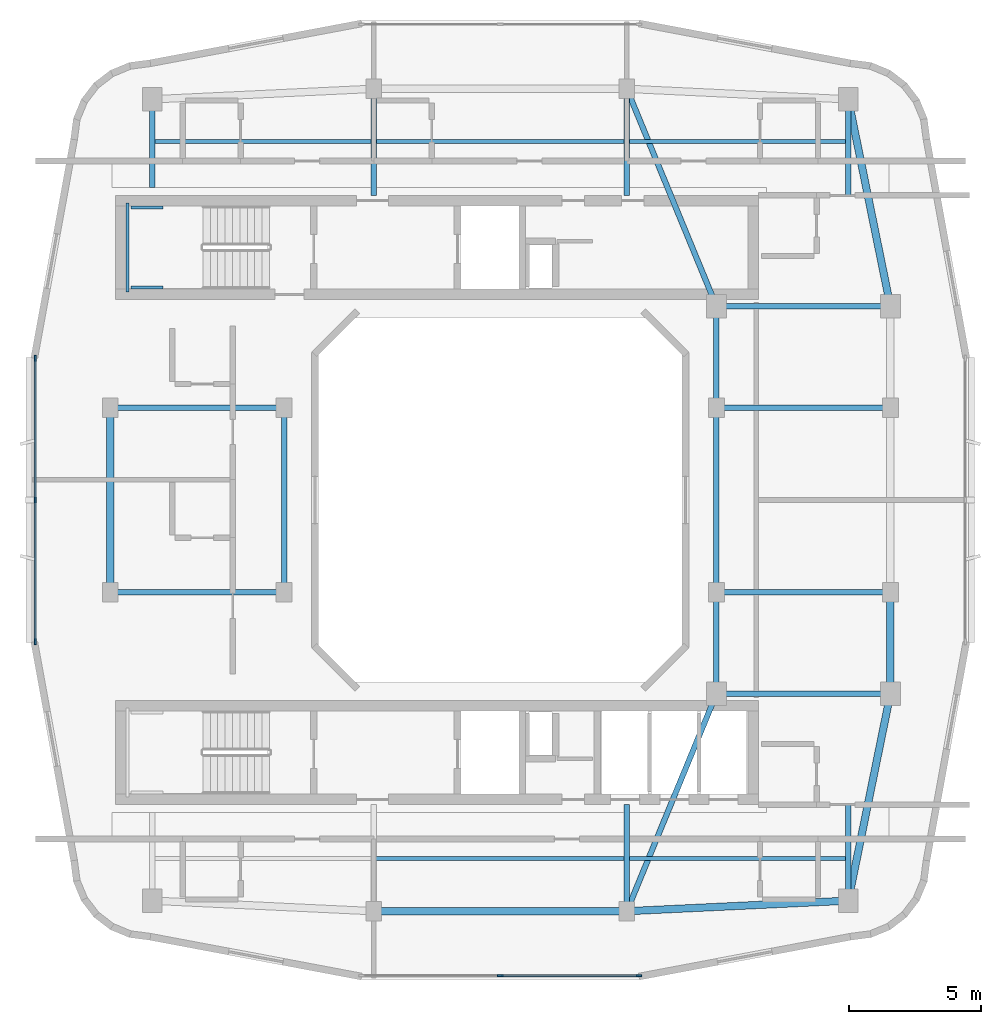
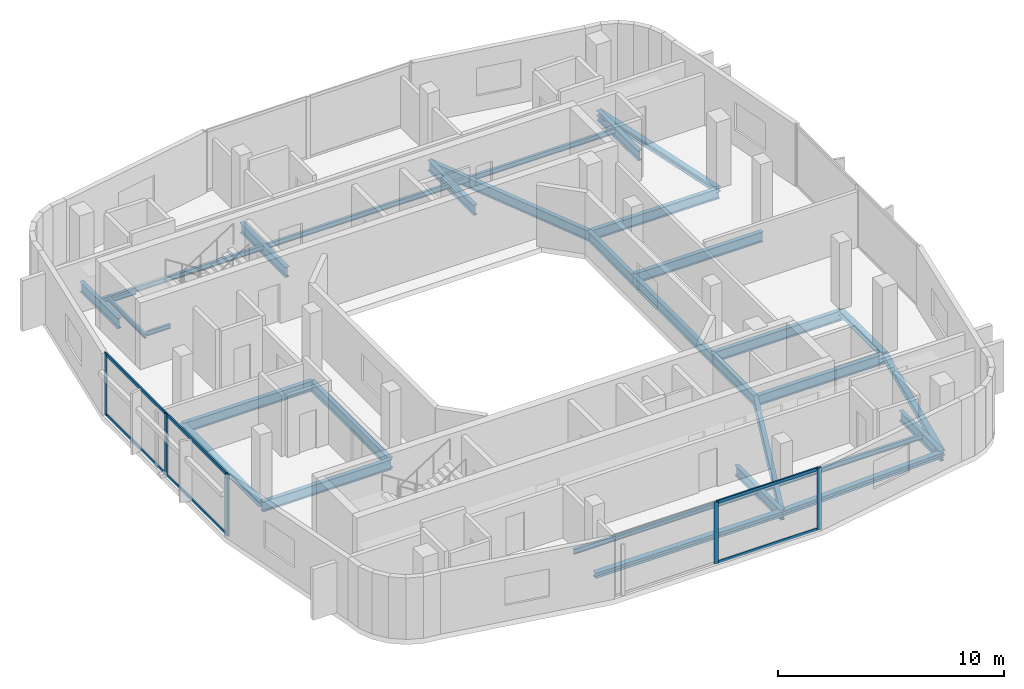
# One storey, part 2 of 10: 32 beams, 11 members, 2 elements without a shape of their own.
"""IFC4 building model written with IfcOpenShell, lengths in metres."""

from ifc_helpers import new_model, si_unit, derived_unit, direction, frame, origin, origin_2d, place, context, subcontext, project, spatial, rectangle, i_section, extrude, material, layer, layer_set, material_profile, profile_set, type_object, element, aggregate, save


model = new_model("IFC4")

# Units and contexts
model_context = context("Model", 3, precision=1e-05, world=origin(), true_north=direction((0.0, 1.0)))
body_context = subcontext(model_context, "Body", "Model", "MODEL_VIEW")
ifc_project = project(units=[si_unit("LENGTHUNIT", "METRE"), si_unit("AREAUNIT", "SQUARE_METRE"), si_unit("VOLUMEUNIT", "CUBIC_METRE"), si_unit("PLANEANGLEUNIT", "RADIAN"), si_unit("MASSUNIT", "GRAM", prefix="KILO"), derived_unit("THERMALTRANSMITTANCEUNIT", [(si_unit("POWERUNIT", "WATT"), 1), (si_unit("LENGTHUNIT", "METRE"), -2), (si_unit("THERMODYNAMICTEMPERATUREUNIT", "KELVIN"), -1)])], contexts=[model_context])

# Site, building, storey
site_placement = place(None, origin())
site = spatial("IfcSite", under=ifc_project, at=site_placement, CompositionType="ELEMENT")
building_placement = place(site_placement, origin())
building = spatial("IfcBuilding", under=site, at=building_placement, Name="Kivonza Crest Hotel", CompositionType="ELEMENT")
storey_placement = place(building_placement, frame((0.0, 0.0, 250.39990234375)))
storey = spatial("IfcBuildingStorey", under=building, at=storey_placement, Name="L68", CompositionType="ELEMENT", Elevation=250.39990234375)

# Beams
ifc_material_1 = material(Name="Steel S355", Category="steel")
ifc_material_profile_1 = material_profile(ifc_material_1, i_section(OverallWidth=0.280029296875, OverallDepth=0.280029296875, WebThickness=0.010498046875, FlangeThickness=0.01806640625, FilletRadius=0.02392578125, at=origin_2d()), Name="HEB 280")
ifc_profile_set_1 = profile_set([ifc_material_profile_1], Name="Steel S355")
beam_type_1 = type_object("IfcBeamType", Name="BM-HEB280", PredefinedType="SPANDREL", material=ifc_profile_set_1)
beam_1_placement = place(storey_placement, frame((16.199951171875, 9.39990234375, -0.419921875), z_axis=(1.0, 0.0, 0.0), x_axis=(0.0, 1.0, 0.0)))
element("IfcBeam", 1, at=beam_1_placement, inside=storey, type_object=beam_type_1, Name="Tower T1 L68 perimeter spandrel S1-S2", PredefinedType="SPANDREL", context=body_context, shape_type="SweptSolid", body=[
    extrude(i_section(OverallWidth=0.280029296875, OverallDepth=0.280029296875, WebThickness=0.010498046875, FlangeThickness=0.01806640625, FilletRadius=0.02392578125, at=origin_2d()), origin(), (0.0, 0.0, 1.0), 9.60009765625),
])
beam_2_placement = place(storey_placement, frame((25.800048828125, 9.39990234375, -0.419921875), z_axis=(0.998867283688, 0.047583080799, 0.0), x_axis=(-0.047583080799, 0.998867283688, 0.0)))
element("IfcBeam", 2, at=beam_2_placement, inside=storey, type_object=beam_type_1, Name="Tower T1 L68 perimeter spandrel S2-SE", PredefinedType="SPANDREL", context=body_context, shape_type="SweptSolid", body=[
    extrude(i_section(OverallWidth=0.280029296875, OverallDepth=0.280029296875, WebThickness=0.010498046875, FlangeThickness=0.01806640625, FilletRadius=0.02392578125, at=origin_2d()), origin(), (0.0, 0.0, 1.0), 8.409423828125),
])
beam_3_placement = place(storey_placement, frame((34.199951171875, 9.800048828125, -0.419921875), z_axis=(0.199730733965, 0.979850822273, 0.0), x_axis=(-0.979850822273, 0.199730733965, 0.0)))
element("IfcBeam", 3, at=beam_3_placement, inside=storey, type_object=beam_type_1, Name="Tower T1 L68 perimeter spandrel SE-PSE", PredefinedType="SPANDREL", context=body_context, shape_type="SweptSolid", body=[
    extrude(i_section(OverallWidth=0.280029296875, OverallDepth=0.280029296875, WebThickness=0.010498046875, FlangeThickness=0.01806640625, FilletRadius=0.02392578125, at=origin_2d()), origin(), (0.0, 0.0, 1.0), 8.01123046875),
])
beam_4_placement = place(storey_placement, frame((35.800048828125, 17.64990234375, -0.419921875), z_axis=(0.0, 1.0, 0.0), x_axis=(-1.0, 0.0, 0.0)))
element("IfcBeam", 4, at=beam_4_placement, inside=storey, type_object=beam_type_1, Name="Tower T1 L68 perimeter spandrel PSE-E1", PredefinedType="SPANDREL", context=body_context, shape_type="SweptSolid", body=[
    extrude(i_section(OverallWidth=0.280029296875, OverallDepth=0.280029296875, WebThickness=0.010498046875, FlangeThickness=0.01806640625, FilletRadius=0.02392578125, at=origin_2d()), origin(), (0.0, 0.0, 1.0), 3.85009765625),
])
beam_5_placement = place(storey_placement, frame((35.800048828125, 32.35009765625, -0.419921875), z_axis=(-0.199730733965, 0.979850822273, 0.0), x_axis=(-0.979850822273, -0.199730733965, 0.0)))
element("IfcBeam", 5, at=beam_5_placement, inside=storey, type_object=beam_type_1, Name="Tower T1 L68 perimeter spandrel PNE-NE", PredefinedType="SPANDREL", context=body_context, shape_type="SweptSolid", body=[
    extrude(i_section(OverallWidth=0.280029296875, OverallDepth=0.280029296875, WebThickness=0.010498046875, FlangeThickness=0.01806640625, FilletRadius=0.02392578125, at=origin_2d()), origin(), (0.0, 0.0, 1.0), 8.01123046875),
])
beam_6_placement = place(storey_placement, frame((6.199951171875, 28.5, -0.419921875), z_axis=(0.0, -1.0, 0.0), x_axis=(1.0, 0.0, 0.0)))
element("IfcBeam", 6, at=beam_6_placement, inside=storey, type_object=beam_type_1, Name="Tower T1 L68 perimeter spandrel W2-W1", PredefinedType="SPANDREL", context=body_context, shape_type="SweptSolid", body=[
    extrude(i_section(OverallWidth=0.280029296875, OverallDepth=0.280029296875, WebThickness=0.010498046875, FlangeThickness=0.01806640625, FilletRadius=0.02392578125, at=origin_2d()), origin(), (0.0, 0.0, 1.0), 7.0),
])
ifc_material_profile_2 = material_profile(ifc_material_1, i_section(OverallWidth=0.135009765625, OverallDepth=0.27001953125, WebThickness=0.006591796875, FlangeThickness=0.01025390625, FilletRadius=0.014892578125, at=origin_2d()), Name="IPE 270")
ifc_profile_set_2 = profile_set([ifc_material_profile_2], Name="Steel S355")
beam_type_2 = type_object("IfcBeamType", Name="BM-IPE270", PredefinedType="JOIST", material=ifc_profile_set_2)
beam_7_placement = place(storey_placement, frame((16.280029296875, 11.39990234375, -0.414794921875), z_axis=(1.0, 0.0, 0.0), x_axis=(0.0, 1.0, 0.0)))
element("IfcBeam", 7, at=beam_7_placement, inside=storey, type_object=beam_type_2, Name="Tower T1 L68 South-Mid floor joist", PredefinedType="JOIST", context=body_context, shape_type="SweptSolid", body=[
    extrude(i_section(OverallWidth=0.135009765625, OverallDepth=0.27001953125, WebThickness=0.006591796875, FlangeThickness=0.01025390625, FilletRadius=0.014892578125, at=origin_2d()), origin(), (0.0, 0.0, 1.0), 9.43994140625),
])
for number, where, z_axis, x_axis, name in (
    (8, (25.8798828125, 11.39990234375, -0.414794921875), (1.0, 0.0, 0.0), (0.0, 1.0, 0.0), "Tower T1 L68 South-East floor joist"),
    (9, (7.8798828125, 38.60009765625, -0.414794921875), (1.0, 0.0, 0.0), (0.0, 1.0, 0.0), "Tower T1 L68 North-West floor joist"),
):
    element("IfcBeam", number, at=place(storey_placement, frame(where, z_axis=z_axis, x_axis=x_axis)), inside=storey, type_object=beam_type_2, Name=name, PredefinedType="JOIST", context=body_context, shape_type="SweptSolid", body=[
        extrude(i_section(OverallWidth=0.135009765625, OverallDepth=0.27001953125, WebThickness=0.006591796875, FlangeThickness=0.01025390625, FilletRadius=0.014892578125, at=origin_2d()), origin(), (0.0, 0.0, 1.0), 8.240234375),
    ])
beam_8_placement = place(storey_placement, frame((16.280029296875, 38.60009765625, -0.414794921875), z_axis=(1.0, 0.0, 0.0), x_axis=(0.0, 1.0, 0.0)))
element("IfcBeam", 10, at=beam_8_placement, inside=storey, type_object=beam_type_2, Name="Tower T1 L68 North-Mid floor joist", PredefinedType="JOIST", context=body_context, shape_type="SweptSolid", body=[
    extrude(i_section(OverallWidth=0.135009765625, OverallDepth=0.27001953125, WebThickness=0.006591796875, FlangeThickness=0.01025390625, FilletRadius=0.014892578125, at=origin_2d()), origin(), (0.0, 0.0, 1.0), 9.43994140625),
])
beam_9_placement = place(storey_placement, frame((25.8798828125, 38.60009765625, -0.414794921875), z_axis=(1.0, 0.0, 0.0), x_axis=(0.0, 1.0, 0.0)))
element("IfcBeam", 11, at=beam_9_placement, inside=storey, type_object=beam_type_2, Name="Tower T1 L68 North-East floor joist", PredefinedType="JOIST", context=body_context, shape_type="SweptSolid", body=[
    extrude(i_section(OverallWidth=0.135009765625, OverallDepth=0.27001953125, WebThickness=0.006591796875, FlangeThickness=0.01025390625, FilletRadius=0.014892578125, at=origin_2d()), origin(), (0.0, 0.0, 1.0), 8.240234375),
])
ifc_material_profile_3 = material_profile(ifc_material_1, i_section(OverallWidth=0.2099609375, OverallDepth=0.550048828125, WebThickness=0.010986328125, FlangeThickness=0.01708984375, FilletRadius=0.02392578125, at=origin_2d()), Name="IPE 550")
ifc_profile_set_3 = profile_set([ifc_material_profile_3], Name="Steel S355")
beam_type_3 = type_object("IfcBeamType", Name="BM-IPE550", PredefinedType="BEAM", material=ifc_profile_set_3)
for number, where, z_axis, x_axis, name in (
    (12, (6.199951171875, 21.5, -0.554931640625), (1.0, 0.0, 0.0), (0.0, 1.0, 0.0), "Tower T1 L68 primary girder W1-WL1"),
    (13, (6.199951171875, 28.5, -0.554931640625), (1.0, 0.0, 0.0), (0.0, 1.0, 0.0), "Tower T1 L68 primary girder W2-WL2"),
):
    element("IfcBeam", number, at=place(storey_placement, frame(where, z_axis=z_axis, x_axis=x_axis)), inside=storey, type_object=beam_type_3, Name=name, PredefinedType="BEAM", context=body_context, shape_type="SweptSolid", body=[
        extrude(i_section(OverallWidth=0.2099609375, OverallDepth=0.550048828125, WebThickness=0.010986328125, FlangeThickness=0.01708984375, FilletRadius=0.02392578125, at=origin_2d()), origin(), (0.0, 0.0, 1.0), 6.60009765625),
    ])
beam_10_placement = place(storey_placement, frame((12.800048828125, 21.5, -0.554931640625), z_axis=(0.0, 1.0, 0.0), x_axis=(-1.0, 0.0, 0.0)))
element("IfcBeam", 14, at=beam_10_placement, inside=storey, type_object=beam_type_3, Name="Tower T1 L68 primary girder WL1-WL2", PredefinedType="BEAM", context=body_context, shape_type="SweptSolid", body=[
    extrude(i_section(OverallWidth=0.2099609375, OverallDepth=0.550048828125, WebThickness=0.010986328125, FlangeThickness=0.01708984375, FilletRadius=0.02392578125, at=origin_2d()), origin(), (0.0, 0.0, 1.0), 7.0),
])
for number, where, z_axis, x_axis, name in (
    (15, (25.800048828125, 9.39990234375, -0.554931640625), (0.381022260404, 0.924565864109, 0.0), (-0.924565864109, 0.381022260404, 0.0), "Tower T1 L68 primary girder S1-TSE"),
    (16, (25.800048828125, 40.60009765625, -0.554931640625), (0.381022260404, -0.924565864109, 0.0), (0.924565864109, 0.381022260404, 0.0), "Tower T1 L68 primary girder N1-TNE"),
):
    element("IfcBeam", number, at=place(storey_placement, frame(where, z_axis=z_axis, x_axis=x_axis)), inside=storey, type_object=beam_type_3, Name=name, PredefinedType="BEAM", context=body_context, shape_type="SweptSolid", body=[
        extrude(i_section(OverallWidth=0.2099609375, OverallDepth=0.550048828125, WebThickness=0.010986328125, FlangeThickness=0.01708984375, FilletRadius=0.02392578125, at=origin_2d()), origin(), (0.0, 0.0, 1.0), 8.923095703125),
    ])
for number, where, z_axis, x_axis, name in (
    (17, (29.199951171875, 17.64990234375, -0.554931640625), (1.0, 0.0, 0.0), (0.0, 1.0, 0.0), "Tower T1 L68 primary girder TSE-PSE"),
    (18, (29.199951171875, 32.35009765625, -0.554931640625), (1.0, 0.0, 0.0), (0.0, 1.0, 0.0), "Tower T1 L68 primary girder TNE-PNE"),
):
    element("IfcBeam", number, at=place(storey_placement, frame(where, z_axis=z_axis, x_axis=x_axis)), inside=storey, type_object=beam_type_3, Name=name, PredefinedType="BEAM", context=body_context, shape_type="SweptSolid", body=[
        extrude(i_section(OverallWidth=0.2099609375, OverallDepth=0.550048828125, WebThickness=0.010986328125, FlangeThickness=0.01708984375, FilletRadius=0.02392578125, at=origin_2d()), origin(), (0.0, 0.0, 1.0), 6.60009765625),
    ])
beam_11_placement = place(storey_placement, frame((29.199951171875, 21.5, -0.554931640625), z_axis=(0.0, 1.0, 0.0), x_axis=(-1.0, 0.0, 0.0)))
element("IfcBeam", 19, at=beam_11_placement, inside=storey, type_object=beam_type_3, Name="Tower T1 L68 primary girder WR1-WR2", PredefinedType="BEAM", context=body_context, shape_type="SweptSolid", body=[
    extrude(i_section(OverallWidth=0.2099609375, OverallDepth=0.550048828125, WebThickness=0.010986328125, FlangeThickness=0.01708984375, FilletRadius=0.02392578125, at=origin_2d()), origin(), (0.0, 0.0, 1.0), 7.0),
])
for number, where, z_axis, x_axis, name in (
    (20, (29.199951171875, 17.64990234375, -0.554931640625), (0.0, 1.0, 0.0), (-1.0, 0.0, 0.0), "Tower T1 L68 primary girder TSE-WR1"),
    (21, (29.199951171875, 28.5, -0.554931640625), (0.0, 1.0, 0.0), (-1.0, 0.0, 0.0), "Tower T1 L68 primary girder WR2-TNE"),
):
    element("IfcBeam", number, at=place(storey_placement, frame(where, z_axis=z_axis, x_axis=x_axis)), inside=storey, type_object=beam_type_3, Name=name, PredefinedType="BEAM", context=body_context, shape_type="SweptSolid", body=[
        extrude(i_section(OverallWidth=0.2099609375, OverallDepth=0.550048828125, WebThickness=0.010986328125, FlangeThickness=0.01708984375, FilletRadius=0.02392578125, at=origin_2d()), origin(), (0.0, 0.0, 1.0), 3.85009765625),
    ])
for number, where, z_axis, x_axis, name in (
    (22, (29.199951171875, 21.5, -0.554931640625), (1.0, 0.0, 0.0), (0.0, 1.0, 0.0), "Tower T1 L68 primary girder WR1-E1"),
    (23, (29.199951171875, 28.5, -0.554931640625), (1.0, 0.0, 0.0), (0.0, 1.0, 0.0), "Tower T1 L68 primary girder WR2-E2"),
):
    element("IfcBeam", number, at=place(storey_placement, frame(where, z_axis=z_axis, x_axis=x_axis)), inside=storey, type_object=beam_type_3, Name=name, PredefinedType="BEAM", context=body_context, shape_type="SweptSolid", body=[
        extrude(i_section(OverallWidth=0.2099609375, OverallDepth=0.550048828125, WebThickness=0.010986328125, FlangeThickness=0.01708984375, FilletRadius=0.02392578125, at=origin_2d()), origin(), (0.0, 0.0, 1.0), 6.60009765625),
    ])
beam_12_placement = place(storey_placement, frame((25.800048828125, 9.39990234375, -0.554931640625), z_axis=(0.0, 1.0, 0.0), x_axis=(-1.0, 0.0, 0.0)))
element("IfcBeam", 24, at=beam_12_placement, inside=storey, type_object=beam_type_3, Name="Tower T1 L68 radial core girder RS2", PredefinedType="BEAM", context=body_context, shape_type="SweptSolid", body=[
    extrude(i_section(OverallWidth=0.2099609375, OverallDepth=0.550048828125, WebThickness=0.010986328125, FlangeThickness=0.01708984375, FilletRadius=0.02392578125, at=origin_2d()), origin(), (0.0, 0.0, 1.0), 4.050048828125),
])
beam_13_placement = place(storey_placement, frame((34.199951171875, 9.800048828125, -0.554931640625), z_axis=(0.0, 1.0, 0.0), x_axis=(-1.0, 0.0, 0.0)))
element("IfcBeam", 25, at=beam_13_placement, inside=storey, type_object=beam_type_3, Name="Tower T1 L68 radial core girder RSE", PredefinedType="BEAM", context=body_context, shape_type="SweptSolid", body=[
    extrude(i_section(OverallWidth=0.2099609375, OverallDepth=0.550048828125, WebThickness=0.010986328125, FlangeThickness=0.01708984375, FilletRadius=0.02392578125, at=origin_2d()), origin(), (0.0, 0.0, 1.0), 3.64990234375),
])
beam_14_placement = place(storey_placement, frame((7.800048828125, 40.199951171875, -0.554931640625), z_axis=(0.0, -1.0, 0.0), x_axis=(1.0, 0.0, 0.0)))
element("IfcBeam", 26, at=beam_14_placement, inside=storey, type_object=beam_type_3, Name="Tower T1 L68 radial core girder RNW", PredefinedType="BEAM", context=body_context, shape_type="SweptSolid", body=[
    extrude(i_section(OverallWidth=0.2099609375, OverallDepth=0.550048828125, WebThickness=0.010986328125, FlangeThickness=0.01708984375, FilletRadius=0.02392578125, at=origin_2d()), origin(), (0.0, 0.0, 1.0), 3.349853515625),
])
for number, where, z_axis, x_axis, name in (
    (27, (16.199951171875, 40.60009765625, -0.554931640625), (0.0, -1.0, 0.0), (1.0, 0.0, 0.0), "Tower T1 L68 radial core girder RN1"),
    (28, (25.800048828125, 40.60009765625, -0.554931640625), (0.0, -1.0, 0.0), (1.0, 0.0, 0.0), "Tower T1 L68 radial core girder RN2"),
):
    element("IfcBeam", number, at=place(storey_placement, frame(where, z_axis=z_axis, x_axis=x_axis)), inside=storey, type_object=beam_type_3, Name=name, PredefinedType="BEAM", context=body_context, shape_type="SweptSolid", body=[
        extrude(i_section(OverallWidth=0.2099609375, OverallDepth=0.550048828125, WebThickness=0.010986328125, FlangeThickness=0.01708984375, FilletRadius=0.02392578125, at=origin_2d()), origin(), (0.0, 0.0, 1.0), 4.050048828125),
    ])
beam_15_placement = place(storey_placement, frame((34.199951171875, 40.199951171875, -0.554931640625), z_axis=(0.0, -1.0, 0.0), x_axis=(1.0, 0.0, 0.0)))
element("IfcBeam", 29, at=beam_15_placement, inside=storey, type_object=beam_type_3, Name="Tower T1 L68 radial core girder RNE", PredefinedType="BEAM", context=body_context, shape_type="SweptSolid", body=[
    extrude(i_section(OverallWidth=0.2099609375, OverallDepth=0.550048828125, WebThickness=0.010986328125, FlangeThickness=0.01708984375, FilletRadius=0.02392578125, at=origin_2d()), origin(), (0.0, 0.0, 1.0), 3.64990234375),
])
ifc_material_profile_4 = material_profile(ifc_material_1, i_section(OverallWidth=0.1201171875, OverallDepth=0.239990234375, WebThickness=0.006103515625, FlangeThickness=0.009765625, FilletRadius=0.014892578125, at=origin_2d()), Name="IPE 240")
ifc_profile_set_4 = profile_set([ifc_material_profile_4], Name="Steel S355")
beam_type_4 = type_object("IfcBeamType", Name="BM-LLDG-240", PredefinedType="BEAM", material=ifc_profile_set_4)
beam_16_placement = place(storey_placement, frame((6.860107421875, 32.89990234375, 1.47998046875), z_axis=(0.0, 1.0, 0.0), x_axis=(-1.0, 0.0, 0.0)))
element("IfcBeam", 30, at=beam_16_placement, inside=storey, type_object=beam_type_4, Name="Stair ST-T1-N L68 West landing corbel", PredefinedType="BEAM", context=body_context, shape_type="SweptSolid", body=[
    extrude(i_section(OverallWidth=0.1201171875, OverallDepth=0.239990234375, WebThickness=0.006103515625, FlangeThickness=0.009765625, FilletRadius=0.014892578125, at=origin_2d()), origin(), (0.0, 0.0, 1.0), 3.360107421875),
])
for number, where, z_axis, x_axis, name in (
    (31, (6.989990234375, 33.06005859375, 1.47998046875), (1.0, 0.0, 0.0), (0.0, 1.0, 0.0), "Stair ST-T1-N L68 South landing corbel"),
    (32, (6.989990234375, 36.10009765625, 1.47998046875), (1.0, 0.0, 0.0), (0.0, 1.0, 0.0), "Stair ST-T1-N L68 North landing corbel"),
):
    element("IfcBeam", number, at=place(storey_placement, frame(where, z_axis=z_axis, x_axis=x_axis)), inside=storey, type_object=beam_type_4, Name=name, PredefinedType="BEAM", context=body_context, shape_type="SweptSolid", body=[
        extrude(i_section(OverallWidth=0.1201171875, OverallDepth=0.239990234375, WebThickness=0.006103515625, FlangeThickness=0.009765625, FilletRadius=0.014892578125, at=origin_2d()), origin(), (0.0, 0.0, 1.0), 1.2099609375),
    ])

# Curtain wall, members
ifc_material_2 = material(Name="Anodised bronze aluminium and low-E double glazing", Category="aluminium")
ifc_layer = layer(ifc_material_2, 0.179931640625)
ifc_layer_set = layer_set([ifc_layer], Name="Anodised bronze aluminium and low-E double glazing")
curtain_wall_type = type_object("IfcCurtainWallType", Name="CW-SYS-3", PredefinedType="NOTDEFINED", material=ifc_layer_set)
curtain_wall_1_placement = place(storey_placement, origin())
curtain_wall_1 = element("IfcCurtainWall", 33, at=curtain_wall_1_placement, inside=storey, type_object=curtain_wall_type, Name="L68 unitised curtain wall CW-T1-L68-08", PredefinedType="NOTDEFINED")
ifc_material_3 = material(Name="Anodised bronze aluminium", Category="aluminium")
ifc_material_profile_5 = material_profile(ifc_material_3, rectangle(XDim=0.074951171875, YDim=0.219970703125, at=origin_2d()), Name="CW-M 75x220")
ifc_profile_set_5 = profile_set([ifc_material_profile_5], Name="Anodised bronze aluminium")
member_type_1 = type_object("IfcMemberType", Name="CW-MUL-75x220", PredefinedType="MULLION", material=ifc_profile_set_5)
member_1_placement = place(storey_placement, frame((21.0, 6.9599609375, 0.0), z_axis=(0.0, 0.0, 1.0), x_axis=(0.0, 1.0, 0.0)))
member_1 = element("IfcMember", 34, at=member_1_placement, type_object=member_type_1, Name="CW-3 mullion 2", PredefinedType="MULLION", context=body_context, shape_type="SweptSolid", body=[
    extrude(rectangle(XDim=0.074951171875, YDim=0.219970703125, at=origin_2d()), origin(), (0.0, 0.0, 1.0), 3.320068359375),
])
member_2_placement = place(storey_placement, frame((26.262451171875, 6.9599609375, 0.0), z_axis=(0.0, 0.0, 1.0), x_axis=(0.0, 1.0, 0.0)))
member_2 = element("IfcMember", 35, at=member_2_placement, type_object=member_type_1, Name="CW-3 mullion 3", PredefinedType="MULLION", context=body_context, shape_type="SweptSolid", body=[
    extrude(rectangle(XDim=0.074951171875, YDim=0.219970703125, at=origin_2d()), origin(), (0.0, 0.0, 1.0), 3.320068359375),
])

curtain_wall_2_placement = place(storey_placement, origin())
curtain_wall_2 = element("IfcCurtainWall", 36, at=curtain_wall_2_placement, inside=storey, type_object=curtain_wall_type, Name="L68 unitised curtain wall CW-T1-L68-35", PredefinedType="NOTDEFINED")
member_3_placement = place(storey_placement, frame((3.360107421875, 30.382568359375, 0.0), z_axis=(0.0, 0.0, 1.0), x_axis=(1.0, 0.0, 0.0)))
member_3 = element("IfcMember", 37, at=member_3_placement, type_object=member_type_1, Name="CW-3 mullion 1", PredefinedType="MULLION", context=body_context, shape_type="SweptSolid", body=[
    extrude(rectangle(XDim=0.074951171875, YDim=0.219970703125, at=origin_2d()), origin(), (0.0, 0.0, 1.0), 3.320068359375),
])
member_4_placement = place(storey_placement, frame((3.360107421875, 25.0, 0.0), z_axis=(0.0, 0.0, 1.0), x_axis=(1.0, 0.0, 0.0)))
member_4 = element("IfcMember", 38, at=member_4_placement, type_object=member_type_1, Name="CW-3 mullion 2", PredefinedType="MULLION", context=body_context, shape_type="SweptSolid", body=[
    extrude(rectangle(XDim=0.074951171875, YDim=0.219970703125, at=origin_2d()), origin(), (0.0, 0.0, 1.0), 3.320068359375),
])
member_5_placement = place(storey_placement, frame((3.360107421875, 19.617431640625, 0.0), z_axis=(0.0, 0.0, 1.0), x_axis=(1.0, 0.0, 0.0)))
member_5 = element("IfcMember", 39, at=member_5_placement, type_object=member_type_1, Name="CW-3 mullion 3", PredefinedType="MULLION", context=body_context, shape_type="SweptSolid", body=[
    extrude(rectangle(XDim=0.074951171875, YDim=0.219970703125, at=origin_2d()), origin(), (0.0, 0.0, 1.0), 3.320068359375),
])

# Member
ifc_material_profile_6 = material_profile(ifc_material_3, rectangle(XDim=0.074951171875, YDim=0.159912109375, at=origin_2d()), Name="CW-T 75x160")
ifc_profile_set_6 = profile_set([ifc_material_profile_6], Name="Anodised bronze aluminium")
member_type_2 = type_object("IfcMemberType", Name="CW-TRN-75x160", PredefinedType="USERDEFINED", material=ifc_profile_set_6)
member_6_placement = place(storey_placement, frame((21.03759765625, 6.9599609375, 0.03759765625), z_axis=(1.0, 0.0, 0.0), x_axis=(0.0, 1.0, 0.0)))
member_6 = element("IfcMember", 40, at=member_6_placement, type_object=member_type_2, Name="CW-3 transom 2.1", ObjectType="TRANSOM", PredefinedType="USERDEFINED", context=body_context, shape_type="SweptSolid", body=[
    extrude(rectangle(XDim=0.074951171875, YDim=0.159912109375, at=origin_2d()), origin(), (0.0, 0.0, 1.0), 5.1875),
])

member_7_placement = place(storey_placement, frame((21.03759765625, 6.9599609375, 3.28271484375), z_axis=(1.0, 0.0, 0.0), x_axis=(0.0, 1.0, 0.0)))
member_7 = element("IfcMember", 41, at=member_7_placement, type_object=member_type_2, Name="CW-3 transom 2.2", ObjectType="TRANSOM", PredefinedType="USERDEFINED", context=body_context, shape_type="SweptSolid", body=[
    extrude(rectangle(XDim=0.074951171875, YDim=0.159912109375, at=origin_2d()), origin(), (0.0, 0.0, 1.0), 5.1875),
])

aggregate(curtain_wall_1, [member_1, member_2, member_6, member_7])

member_8_placement = place(storey_placement, frame((3.360107421875, 30.344970703125, 0.03759765625), z_axis=(0.0, -1.0, 0.0), x_axis=(1.0, 0.0, 0.0)))
member_8 = element("IfcMember", 42, at=member_8_placement, type_object=member_type_2, Name="CW-3 transom 1.1", ObjectType="TRANSOM", PredefinedType="USERDEFINED", context=body_context, shape_type="SweptSolid", body=[
    extrude(rectangle(XDim=0.074951171875, YDim=0.159912109375, at=origin_2d()), origin(), (0.0, 0.0, 1.0), 5.307373046875),
])

member_9_placement = place(storey_placement, frame((3.360107421875, 30.344970703125, 3.28271484375), z_axis=(0.0, -1.0, 0.0), x_axis=(1.0, 0.0, 0.0)))
member_9 = element("IfcMember", 43, at=member_9_placement, type_object=member_type_2, Name="CW-3 transom 1.2", ObjectType="TRANSOM", PredefinedType="USERDEFINED", context=body_context, shape_type="SweptSolid", body=[
    extrude(rectangle(XDim=0.074951171875, YDim=0.159912109375, at=origin_2d()), origin(), (0.0, 0.0, 1.0), 5.307373046875),
])

member_10_placement = place(storey_placement, frame((3.360107421875, 24.96240234375, 0.03759765625), z_axis=(0.0, -1.0, 0.0), x_axis=(1.0, 0.0, 0.0)))
member_10 = element("IfcMember", 44, at=member_10_placement, type_object=member_type_2, Name="CW-3 transom 2.1", ObjectType="TRANSOM", PredefinedType="USERDEFINED", context=body_context, shape_type="SweptSolid", body=[
    extrude(rectangle(XDim=0.074951171875, YDim=0.159912109375, at=origin_2d()), origin(), (0.0, 0.0, 1.0), 5.307373046875),
])

member_11_placement = place(storey_placement, frame((3.360107421875, 24.96240234375, 3.28271484375), z_axis=(0.0, -1.0, 0.0), x_axis=(1.0, 0.0, 0.0)))
member_11 = element("IfcMember", 45, at=member_11_placement, type_object=member_type_2, Name="CW-3 transom 2.2", ObjectType="TRANSOM", PredefinedType="USERDEFINED", context=body_context, shape_type="SweptSolid", body=[
    extrude(rectangle(XDim=0.074951171875, YDim=0.159912109375, at=origin_2d()), origin(), (0.0, 0.0, 1.0), 5.307373046875),
])

aggregate(curtain_wall_2, [member_3, member_4, member_5, member_8, member_9, member_10, member_11])

save(model, "model.ifc")
